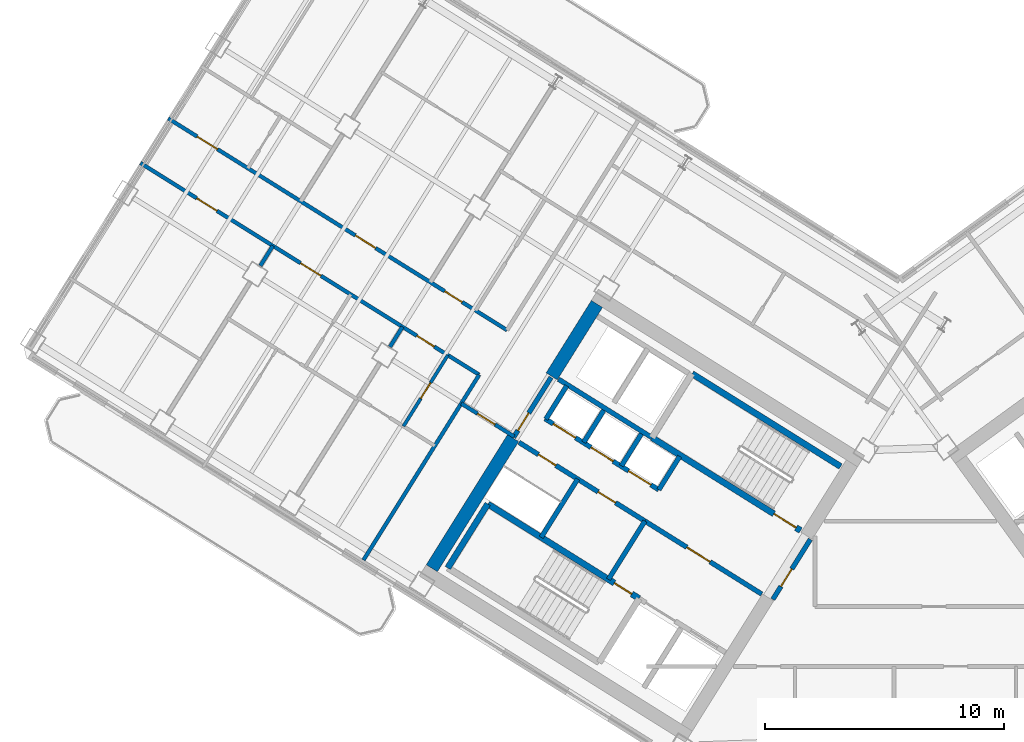
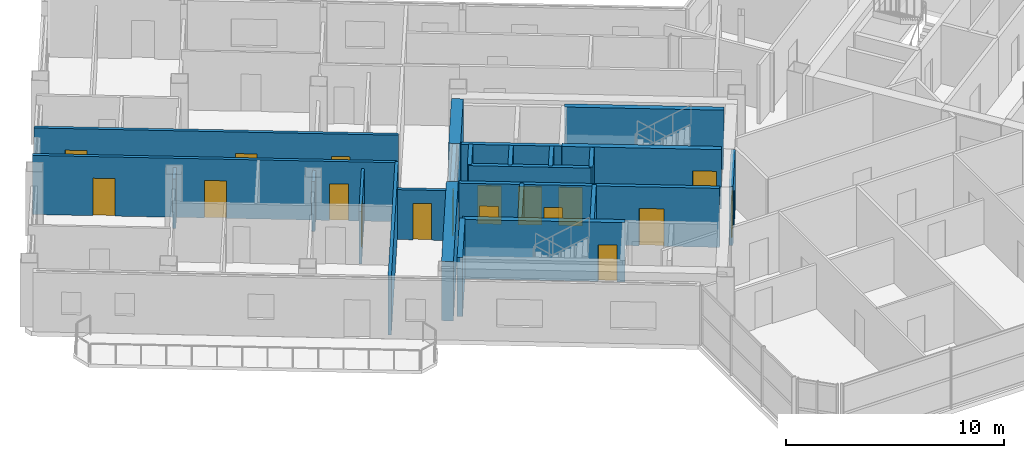
# One storey, part 12 of 21: 25 walls, 18 doors, 18 openings.
"""IFC4 building model written with IfcOpenShell, lengths in metres."""

from ifc_helpers import new_model, si_unit, direction, frame, frame_2d, origin, place, context, subcontext, project, spatial, rectangle, extrude, source, transform, mapped, material, layer, layer_set, type_object, element, fill, save


model = new_model("IFC4")

# Units and contexts
model_context = context("Model", 3, precision=1e-05, world=origin(), true_north=direction((0.0, 1.0)))
body_context = subcontext(model_context, "Body", "Model", "MODEL_VIEW")
ifc_project = project(units=[si_unit("LENGTHUNIT", "METRE"), si_unit("AREAUNIT", "SQUARE_METRE"), si_unit("VOLUMEUNIT", "CUBIC_METRE"), si_unit("PLANEANGLEUNIT", "RADIAN"), si_unit("MASSUNIT", "GRAM", prefix="KILO")], contexts=[model_context])

# Site, building, storey
site_placement = place(None, origin())
site = spatial("IfcSite", under=ifc_project, at=site_placement, CompositionType="ELEMENT")
building_placement = place(site_placement, origin())
building = spatial("IfcBuilding", under=site, at=building_placement, Name="Tlacorven Tower", CompositionType="ELEMENT")
storey_placement = place(building_placement, frame((0.0, 0.0, 191.39990234375)))
storey = spatial("IfcBuildingStorey", under=building, at=storey_placement, Name="L48", CompositionType="ELEMENT", Elevation=191.39990234375)

# Walls
ifc_material_1 = material(Name="Concrete C60/75", Category="concrete")
ifc_layer_1 = layer(ifc_material_1, 0.550048828125)
ifc_layer_set_1 = layer_set([ifc_layer_1], Name="Concrete C60/75")
wall_type_1 = type_object("IfcWallType", Name="WL-COR-550", PredefinedType="SHEAR", material=ifc_layer_set_1)
wall_1_placement = place(storey_placement, frame((29.517333984375, 30.59423828125, 0.0), z_axis=(0.0, 0.0, 1.0), x_axis=(-0.529906864564, -0.848055844204, 0.0)))
element("IfcWall", 1, at=wall_1_placement, inside=storey, type_object=wall_type_1, Name="L48 W core end wall E2.1", PredefinedType="SHEAR", context=body_context, shape_type="SweptSolid", body=[
    extrude(rectangle(XDim=3.5751953125, YDim=0.550048828125, at=frame_2d((1.78759765625, 0.0))), origin(), (0.0, 0.0, 1.0), 3.320068359375),
])
wall_2_placement = place(storey_placement, frame((26.006591796875, 24.975830078125, 0.0), z_axis=(0.0, 0.0, 1.0), x_axis=(-0.529923795287, -0.848045264823, 0.0)))
element("IfcWall", 2, at=wall_2_placement, inside=storey, type_object=wall_type_1, Name="L48 W core end wall E2.2", PredefinedType="SHEAR", context=body_context, shape_type="SweptSolid", body=[
    extrude(rectangle(XDim=6.425048828125, YDim=0.550048828125, at=frame_2d((3.21240234375, 0.0))), origin(), (0.0, 0.0, 1.0), 3.320068359375),
])

# Wall, opening, door
ifc_material_2 = material(Name="Gypsum plasterboard acoustic partition", Category="gypsum")
ifc_layer_2 = layer(ifc_material_2, 0.159912109375)
ifc_layer_set_2 = layer_set([ifc_layer_2], Name="Gypsum plasterboard acoustic partition")
wall_type_2 = type_object("IfcWallType", Name="WL-DEM-160", PredefinedType="PARTITIONING", material=ifc_layer_set_2)
wall_3_placement = place(storey_placement, frame((26.048828125, 25.043701171875, 0.0), z_axis=(0.0, 0.0, 1.0), x_axis=(-0.848050851465, 0.529914854792, 0.0)))
wall_3 = element("IfcWall", 3, at=wall_3_placement, inside=storey, type_object=wall_type_2, Name="L48 partition 44", PredefinedType="PARTITIONING", context=body_context, shape_type="SweptSolid", body=[
    extrude(rectangle(XDim=2.60986328125, YDim=0.159912109375, at=frame_2d((1.304931640625, 0.0))), origin(), (0.0, 0.0, 1.0), 2.795166015625),
])
opening_1_placement = place(wall_3_placement, frame((0.949951171875, 0.0, 0.0)))
opening_1 = element("IfcOpeningElement", 4, at=opening_1_placement, cuts=wall_3, Name="Opening D19", PredefinedType="OPENING", context=body_context, shape_type="SweptSolid", body=[
    extrude(rectangle(XDim=0.860107421875, YDim=2.050048828125, at=frame_2d((0.43017578125, 1.02490234375))), frame((0.0, 0.08984375, 0.0), z_axis=(0.0, -1.0, 0.0), x_axis=(1.0, 0.0, 0.0)), (0.0, 0.0, 1.0), 0.179931640625),
])
ifc_material_3 = material(Name="Fire-rated steel door assembly", Category="steel")
door_type_1 = type_object("IfcDoorType", Name="DR-RSR-FD60-0860", OperationType="NOTDEFINED", PredefinedType="DOOR", material=ifc_material_3)
shared_shape_1 = source(origin(), body_context, "Body", "SweptSolid", [
    extrude(rectangle(XDim=0.860107421875, YDim=2.050048828125, at=frame_2d((0.43017578125, 1.02490234375))), frame((0.0, 0.02490234375, 0.0), z_axis=(0.0, -1.0, 0.0), x_axis=(1.0, 0.0, 0.0)), (0.0, 0.0, 1.0), 0.050048828125),
])
door_1_placement = place(opening_1_placement, origin())
door_1 = element("IfcDoor", 5, at=door_1_placement, inside=storey, type_object=door_type_1, Name="L48 door 020", OperationType="SINGLE_SWING_RIGHT", OverallHeight=2.050048828125, OverallWidth=0.860107421875, PredefinedType="DOOR", context=body_context, shape_type="MappedRepresentation", body=[
    mapped(shared_shape_1, transform((0.0, 0.0, 0.0), scale=1.0)),
])
fill(opening_1, door_1)

# Wall
wall_4_placement = place(storey_placement, frame((24.587890625, 27.630859375, 0.0), z_axis=(0.0, 0.0, 1.0), x_axis=(-0.529914992377, -0.848050765494, 0.0)))
element("IfcWall", 6, at=wall_4_placement, inside=storey, type_object=wall_type_2, Name="L48 partition 46", PredefinedType="PARTITIONING", context=body_context, shape_type="SweptSolid", body=[
    extrude(rectangle(XDim=9.14990234375, YDim=0.159912109375, at=frame_2d((4.574951171875, 0.0))), origin(), (0.0, 0.0, 1.0), 3.31005859375),
])

# Wall, openings, doors
wall_5_placement = place(storey_placement, frame((25.75390625, 29.49658203125, 0.0), z_axis=(0.0, 0.0, 1.0), x_axis=(-0.848045850158, 0.529922858565, 0.0)))
wall_5 = element("IfcWall", 7, at=wall_5_placement, inside=storey, type_object=wall_type_2, Name="L48 Wing W Corridor South Wall", PredefinedType="PARTITIONING", context=body_context, shape_type="SweptSolid", body=[
    extrude(rectangle(XDim=16.730224609375, YDim=0.159912109375, at=frame_2d((8.365234375, 0.0))), origin(), (0.0, 0.0, 1.0), 3.31005859375),
])
opening_2_placement = place(wall_5_placement, frame((2.219970703125, 0.0, 0.0)))
opening_2 = element("IfcOpeningElement", 8, at=opening_2_placement, cuts=wall_5, Name="Opening D19", PredefinedType="OPENING", context=body_context, shape_type="SweptSolid", body=[
    extrude(rectangle(XDim=0.860107421875, YDim=2.050048828125, at=frame_2d((0.43017578125, 1.02490234375))), frame((0.0, 0.08984375, 0.0), z_axis=(0.0, -1.0, 0.0), x_axis=(1.0, 0.0, 0.0)), (0.0, 0.0, 1.0), 0.179931640625),
])
opening_3_placement = place(wall_5_placement, frame((6.489990234375, 0.0, 0.0)))
opening_3 = element("IfcOpeningElement", 9, at=opening_3_placement, cuts=wall_5, Name="Opening D11", PredefinedType="OPENING", context=body_context, shape_type="SweptSolid", body=[
    extrude(rectangle(XDim=1.0, YDim=2.10009765625, at=frame_2d((0.5, 1.050048828125))), frame((0.0, 0.08984375, 0.0), z_axis=(0.0, -1.0, 0.0), x_axis=(1.0, 0.0, 0.0)), (0.0, 0.0, 1.0), 0.179931640625),
])
opening_4_placement = place(wall_5_placement, frame((14.303955078125, 0.0, 0.0)))
opening_4 = element("IfcOpeningElement", 10, at=opening_4_placement, cuts=wall_5, Name="Opening D11", PredefinedType="OPENING", context=body_context, shape_type="SweptSolid", body=[
    extrude(rectangle(XDim=1.0, YDim=2.10009765625, at=frame_2d((0.5, 1.050048828125))), frame((0.0, 0.08984375, 0.0), z_axis=(0.0, -1.0, 0.0), x_axis=(1.0, 0.0, 0.0)), (0.0, 0.0, 1.0), 0.179931640625),
])
door_2_placement = place(opening_2_placement, origin())
door_2 = element("IfcDoor", 11, at=door_2_placement, inside=storey, type_object=door_type_1, Name="L48 door 031", OperationType="SINGLE_SWING_RIGHT", OverallHeight=2.050048828125, OverallWidth=0.860107421875, PredefinedType="DOOR", context=body_context, shape_type="MappedRepresentation", body=[
    mapped(shared_shape_1, transform((0.0, 0.0, 0.0), scale=1.0)),
])
fill(opening_2, door_2)
door_type_2 = type_object("IfcDoorType", Name="DR-FLT-FD60-1000", OperationType="NOTDEFINED", PredefinedType="DOOR", material=ifc_material_3)
shared_shape_2 = source(origin(), body_context, "Body", "SweptSolid", [
    extrude(rectangle(XDim=1.0, YDim=2.10009765625, at=frame_2d((0.5, 1.050048828125))), frame((0.0, 0.02490234375, 0.0), z_axis=(0.0, -1.0, 0.0), x_axis=(1.0, 0.0, 0.0)), (0.0, 0.0, 1.0), 0.050048828125),
])
door_3_placement = place(opening_3_placement, origin())
door_3 = element("IfcDoor", 12, at=door_3_placement, inside=storey, type_object=door_type_2, Name="L48 door 034", OperationType="SINGLE_SWING_LEFT", OverallHeight=2.10009765625, OverallWidth=1.0, PredefinedType="DOOR", context=body_context, shape_type="MappedRepresentation", body=[
    mapped(shared_shape_2, transform((0.0, 0.0, 0.0), scale=1.0)),
])
fill(opening_3, door_3)
door_4_placement = place(opening_4_placement, origin())
door_4 = element("IfcDoor", 13, at=door_4_placement, inside=storey, type_object=door_type_2, Name="L48 door 037", OperationType="SINGLE_SWING_RIGHT", OverallHeight=2.10009765625, OverallWidth=1.0, PredefinedType="DOOR", context=body_context, shape_type="MappedRepresentation", body=[
    mapped(shared_shape_2, transform((0.0, 0.0, 0.0), scale=1.0)),
])
fill(opening_4, door_4)

wall_6_placement = place(storey_placement, frame((24.587890625, 27.630859375, 0.0), z_axis=(0.0, 0.0, 1.0), x_axis=(-0.848041752158, 0.529929416617, 0.0)))
wall_6 = element("IfcWall", 14, at=wall_6_placement, inside=storey, type_object=wall_type_2, Name="L48 Wing W Corridor North Wall", PredefinedType="PARTITIONING", context=body_context, shape_type="SweptSolid", body=[
    extrude(rectangle(XDim=16.72998046875, YDim=0.159912109375, at=frame_2d((8.364990234375, 0.0))), origin(), (0.0, 0.0, 1.0), 3.31005859375),
])
opening_5_placement = place(wall_6_placement, frame((2.219970703125, 0.0, 0.0)))
opening_5 = element("IfcOpeningElement", 15, at=opening_5_placement, cuts=wall_6, Name="Opening D19", PredefinedType="OPENING", context=body_context, shape_type="SweptSolid", body=[
    extrude(rectangle(XDim=0.860107421875, YDim=2.050048828125, at=frame_2d((0.43017578125, 1.02490234375))), frame((0.0, 0.08984375, 0.0), z_axis=(0.0, -1.0, 0.0), x_axis=(1.0, 0.0, 0.0)), (0.0, 0.0, 1.0), 0.179931640625),
])
opening_6_placement = place(wall_6_placement, frame((7.820068359375, 0.0, 0.0)))
opening_6 = element("IfcOpeningElement", 16, at=opening_6_placement, cuts=wall_6, Name="Opening D11", PredefinedType="OPENING", context=body_context, shape_type="SweptSolid", body=[
    extrude(rectangle(XDim=1.0, YDim=2.10009765625, at=frame_2d((0.5, 1.050048828125))), frame((0.0, 0.08984375, 0.0), z_axis=(0.0, -1.0, 0.0), x_axis=(1.0, 0.0, 0.0)), (0.0, 0.0, 1.0), 0.179931640625),
])
opening_7_placement = place(wall_6_placement, frame((12.949951171875, 0.0, 0.0)))
opening_7 = element("IfcOpeningElement", 17, at=opening_7_placement, cuts=wall_6, Name="Opening D11", PredefinedType="OPENING", context=body_context, shape_type="SweptSolid", body=[
    extrude(rectangle(XDim=1.0, YDim=2.10009765625, at=frame_2d((0.5, 1.050048828125))), frame((0.0, 0.08984375, 0.0), z_axis=(0.0, -1.0, 0.0), x_axis=(1.0, 0.0, 0.0)), (0.0, 0.0, 1.0), 0.179931640625),
])
door_5_placement = place(opening_5_placement, origin())
door_5 = element("IfcDoor", 18, at=door_5_placement, inside=storey, type_object=door_type_1, Name="L48 door 022", OperationType="SINGLE_SWING_LEFT", OverallHeight=2.050048828125, OverallWidth=0.860107421875, PredefinedType="DOOR", context=body_context, shape_type="MappedRepresentation", body=[
    mapped(shared_shape_1, transform((0.0, 0.0, 0.0), scale=1.0)),
])
fill(opening_5, door_5)
door_6_placement = place(opening_6_placement, origin())
door_6 = element("IfcDoor", 19, at=door_6_placement, inside=storey, type_object=door_type_2, Name="L48 door 026", OperationType="SINGLE_SWING_LEFT", OverallHeight=2.10009765625, OverallWidth=1.0, PredefinedType="DOOR", context=body_context, shape_type="MappedRepresentation", body=[
    mapped(shared_shape_2, transform((0.0, 0.0, 0.0), scale=1.0)),
])
fill(opening_6, door_6)
door_7_placement = place(opening_7_placement, origin())
door_7 = element("IfcDoor", 20, at=door_7_placement, inside=storey, type_object=door_type_2, Name="L48 door 029", OperationType="SINGLE_SWING_RIGHT", OverallHeight=2.10009765625, OverallWidth=1.0, PredefinedType="DOOR", context=body_context, shape_type="MappedRepresentation", body=[
    mapped(shared_shape_2, transform((0.0, 0.0, 0.0), scale=1.0)),
])
fill(opening_7, door_7)

# Walls
for number, where, z_axis, x_axis, name in (
    (21, (21.3740234375, 29.639404296875, 0.0), (0.0, 0.0, 1.0), (-0.529998940003, -0.847998304005, 0.0), "L48 WN Demising Wall 1"),
    (22, (15.9462890625, 33.03076171875, 0.0), (0.0, 0.0, 1.0), (-0.529821225456, -0.848109349704, 0.0), "L48 WN Demising Wall 2"),
):
    element("IfcWall", number, at=place(storey_placement, frame(where, z_axis=z_axis, x_axis=x_axis)), inside=storey, type_object=wall_type_2, Name=name, PredefinedType="PARTITIONING", context=body_context, shape_type="SweptSolid", body=[
        extrude(rectangle(XDim=0.988037109375, YDim=0.159912109375, at=frame_2d((0.494140625, 0.0))), origin(), (0.0, 0.0, 1.0), 2.795166015625),
    ])

# Wall, opening, door
ifc_material_4 = material(Name="Moisture-resistant gypsum plumbing wall", Category="gypsum")
ifc_layer_3 = layer(ifc_material_4, 0.139892578125)
ifc_layer_set_3 = layer_set([ifc_layer_3], Name="Moisture-resistant gypsum plumbing wall")
wall_type_3 = type_object("IfcWallType", Name="WL-PLM-140", PredefinedType="PLUMBINGWALL", material=ifc_layer_set_3)
wall_7_placement = place(storey_placement, frame((23.2734375, 28.452392578125, 0.0), z_axis=(0.0, 0.0, 1.0), x_axis=(-0.529867639402, -0.848080352747, 0.0)))
wall_7 = element("IfcWall", 23, at=wall_7_placement, inside=storey, type_object=wall_type_3, Name="L48 partition 52", PredefinedType="PLUMBINGWALL", context=body_context, shape_type="SweptSolid", body=[
    extrude(rectangle(XDim=3.510009765625, YDim=0.139892578125, at=frame_2d((1.7548828125, 0.0))), origin(), (0.0, 0.0, 1.0), 2.93505859375),
])
opening_8_placement = place(wall_7_placement, frame((1.364990234375, 0.0, 0.0)))
opening_8 = element("IfcOpeningElement", 24, at=opening_8_placement, cuts=wall_7, Name="Opening D22", PredefinedType="OPENING", context=body_context, shape_type="SweptSolid", body=[
    extrude(rectangle(XDim=0.780029296875, YDim=2.050048828125, at=frame_2d((0.39013671875, 1.02490234375))), frame((0.0, 0.080078125, 0.0), z_axis=(0.0, -1.0, 0.0), x_axis=(1.0, 0.0, 0.0)), (0.0, 0.0, 1.0), 0.159912109375),
])
ifc_material_5 = material(Name="Powder-coated aluminium and timber door", Category="wood")
door_type_3 = type_object("IfcDoorType", Name="DR-INT-WET-0780", OperationType="NOTDEFINED", PredefinedType="DOOR", material=ifc_material_5)
shared_shape_3 = source(origin(), body_context, "Body", "SweptSolid", [
    extrude(rectangle(XDim=0.780029296875, YDim=2.050048828125, at=frame_2d((0.39013671875, 1.02490234375))), frame((0.0, 0.02490234375, 0.0), z_axis=(0.0, -1.0, 0.0), x_axis=(1.0, 0.0, 0.0)), (0.0, 0.0, 1.0), 0.050048828125),
])
door_8_placement = place(opening_8_placement, origin())
door_8 = element("IfcDoor", 25, at=door_8_placement, inside=storey, type_object=door_type_3, Name="L48 door 024", OperationType="SINGLE_SWING_LEFT", OverallHeight=2.050048828125, OverallWidth=0.780029296875, PredefinedType="DOOR", context=body_context, shape_type="MappedRepresentation", body=[
    mapped(shared_shape_3, transform((0.0, 0.0, 0.0), scale=1.0)),
])
fill(opening_8, door_8)

ifc_material_6 = material(Name="Concrete C40/50", Category="concrete")
ifc_layer_4 = layer(ifc_material_6, 0.199951171875)
ifc_layer_set_4 = layer_set([ifc_layer_4], Name="Concrete C40/50")
wall_type_4 = type_object("IfcWallType", Name="WL-SHF-200", PredefinedType="STANDARD", material=ifc_layer_set_4)
wall_8_placement = place(storey_placement, frame((36.416748046875, 18.447265625, 0.0), z_axis=(0.0, 0.0, 1.0), x_axis=(-0.848064879198, 0.529892404805, 0.0)))
wall_8 = element("IfcWall", 26, at=wall_8_placement, inside=storey, type_object=wall_type_4, Name="L48 Core W Smoke Lobby Wall", PredefinedType="STANDARD", context=body_context, shape_type="SweptSolid", body=[
    extrude(rectangle(XDim=5.76806640625, YDim=0.199951171875, at=frame_2d((2.884033203125, 0.0))), origin(), (0.0, 0.0, 1.0), 3.31005859375),
])
opening_9_placement = place(wall_8_placement, frame((2.548095703125, 0.0, 0.0)))
opening_9 = element("IfcOpeningElement", 27, at=opening_9_placement, cuts=wall_8, Name="Opening D09", PredefinedType="OPENING", context=body_context, shape_type="SweptSolid", body=[
    extrude(rectangle(XDim=1.14990234375, YDim=2.10009765625, at=frame_2d((0.574951171875, 1.050048828125))), frame((0.0, 0.10986328125, 0.0), z_axis=(0.0, -1.0, 0.0), x_axis=(1.0, 0.0, 0.0)), (0.0, 0.0, 1.0), 0.219970703125),
])
door_type_4 = type_object("IfcDoorType", Name="DR-FFL-FD60-1150", OperationType="NOTDEFINED", PredefinedType="DOOR", material=ifc_material_3)
shared_shape_4 = source(origin(), body_context, "Body", "SweptSolid", [
    extrude(rectangle(XDim=1.14990234375, YDim=2.10009765625, at=frame_2d((0.574951171875, 1.050048828125))), frame((0.0, 0.02490234375, 0.0), z_axis=(0.0, -1.0, 0.0), x_axis=(1.0, 0.0, 0.0)), (0.0, 0.0, 1.0), 0.050048828125),
])
door_9_placement = place(opening_9_placement, origin())
door_9 = element("IfcDoor", 28, at=door_9_placement, inside=storey, type_object=door_type_4, Name="L48 Firefighting Lobby W Fire Door", OperationType="SINGLE_SWING_RIGHT", OverallHeight=2.10009765625, OverallWidth=1.14990234375, PredefinedType="DOOR", context=body_context, shape_type="MappedRepresentation", body=[
    mapped(shared_shape_4, transform((0.0, 0.0, 0.0), scale=1.0)),
])
fill(opening_9, door_9)

# Wall
wall_9_placement = place(storey_placement, frame((31.82177734375, 24.99755859375, 0.0), z_axis=(0.0, 0.0, 1.0), x_axis=(-0.848036912365, 0.52993716162, 0.0)))
element("IfcWall", 29, at=wall_9_placement, inside=storey, type_object=wall_type_4, Name="L48 Core W South Lift Shaft Wall", PredefinedType="STANDARD", context=body_context, shape_type="SweptSolid", body=[
    extrude(rectangle(XDim=4.617919921875, YDim=0.199951171875, at=frame_2d((2.30908203125, 0.0))), origin(), (0.0, 0.0, 1.0), 3.31005859375),
])

# Wall, openings, doors
wall_10_placement = place(storey_placement, frame((32.108154296875, 22.81396484375, 0.0), z_axis=(0.0, 0.0, 1.0), x_axis=(-0.848042229521, 0.529928652696, 0.0)))
wall_10 = element("IfcWall", 30, at=wall_10_placement, inside=storey, type_object=wall_type_4, Name="L48 partition 11", PredefinedType="STANDARD", context=body_context, shape_type="SweptSolid", body=[
    extrude(rectangle(XDim=5.6201171875, YDim=0.199951171875, at=frame_2d((2.81005859375, 0.0))), origin(), (0.0, 0.0, 1.0), 3.31005859375),
])
opening_10_placement = place(wall_10_placement, frame((0.389892578125, 0.0, 0.0)))
opening_10 = element("IfcOpeningElement", 31, at=opening_10_placement, cuts=wall_10, Name="Opening LD01", PredefinedType="OPENING", context=body_context, shape_type="SweptSolid", body=[
    extrude(rectangle(XDim=1.10009765625, YDim=2.14990234375, at=frame_2d((0.550048828125, 1.074951171875))), frame((0.0, 0.10986328125, 0.0), z_axis=(0.0, -1.0, 0.0), x_axis=(1.0, 0.0, 0.0)), (0.0, 0.0, 1.0), 0.219970703125),
])
opening_11_placement = place(wall_10_placement, frame((2.25, 0.0, 0.0)))
opening_11 = element("IfcOpeningElement", 32, at=opening_11_placement, cuts=wall_10, Name="Opening LD01", PredefinedType="OPENING", context=body_context, shape_type="SweptSolid", body=[
    extrude(rectangle(XDim=1.10009765625, YDim=2.14990234375, at=frame_2d((0.550048828125, 1.074951171875))), frame((0.0, 0.10986328125, 0.0), z_axis=(0.0, -1.0, 0.0), x_axis=(1.0, 0.0, 0.0)), (0.0, 0.0, 1.0), 0.219970703125),
])
opening_12_placement = place(wall_10_placement, frame((4.110107421875, 0.0, 0.0)))
opening_12 = element("IfcOpeningElement", 33, at=opening_12_placement, cuts=wall_10, Name="Opening LD01", PredefinedType="OPENING", context=body_context, shape_type="SweptSolid", body=[
    extrude(rectangle(XDim=1.10009765625, YDim=2.14990234375, at=frame_2d((0.550048828125, 1.074951171875))), frame((0.0, 0.10986328125, 0.0), z_axis=(0.0, -1.0, 0.0), x_axis=(1.0, 0.0, 0.0)), (0.0, 0.0, 1.0), 0.219970703125),
])
door_type_5 = type_object("IfcDoorType", Name="DR-LFT-SLID-1100", OperationType="DOUBLE_DOOR_SLIDING", PredefinedType="DOOR", material=ifc_material_3)
shared_shape_5 = source(origin(), body_context, "Body", "SweptSolid", [
    extrude(rectangle(XDim=1.10009765625, YDim=2.14990234375, at=frame_2d((0.550048828125, 1.074951171875))), frame((0.0, 0.02490234375, 0.0), z_axis=(0.0, -1.0, 0.0), x_axis=(1.0, 0.0, 0.0)), (0.0, 0.0, 1.0), 0.050048828125),
])
door_10_placement = place(opening_10_placement, origin())
door_10 = element("IfcDoor", 34, at=door_10_placement, inside=storey, type_object=door_type_5, Name="L48 Lift PL-M1 Sliding Landing Door", OperationType="DOUBLE_DOOR_SLIDING", OverallHeight=2.14990234375, OverallWidth=1.10009765625, PredefinedType="DOOR", context=body_context, shape_type="MappedRepresentation", body=[
    mapped(shared_shape_5, transform((0.0, 0.0, 0.0), scale=1.0)),
])
fill(opening_10, door_10)
door_11_placement = place(opening_11_placement, origin())
door_11 = element("IfcDoor", 35, at=door_11_placement, inside=storey, type_object=door_type_5, Name="L48 Lift PL-M2 Sliding Landing Door", OperationType="DOUBLE_DOOR_SLIDING", OverallHeight=2.14990234375, OverallWidth=1.10009765625, PredefinedType="DOOR", context=body_context, shape_type="MappedRepresentation", body=[
    mapped(shared_shape_5, transform((0.0, 0.0, 0.0), scale=1.0)),
])
fill(opening_11, door_11)
door_12_placement = place(opening_12_placement, origin())
door_12 = element("IfcDoor", 36, at=door_12_placement, inside=storey, type_object=door_type_5, Name="L48 Lift PL-M3 Sliding Landing Door", OperationType="DOUBLE_DOOR_SLIDING", OverallHeight=2.14990234375, OverallWidth=1.10009765625, PredefinedType="DOOR", context=body_context, shape_type="MappedRepresentation", body=[
    mapped(shared_shape_5, transform((0.0, 0.0, 0.0), scale=1.0)),
])
fill(opening_12, door_12)

# Walls
wall_11_placement = place(storey_placement, frame((32.982421875, 24.21337890625, 0.0), z_axis=(0.0, 0.0, 1.0), x_axis=(-0.529839334948, -0.84809803628, 0.0)))
element("IfcWall", 37, at=wall_11_placement, inside=storey, type_object=wall_type_4, Name="L48 partition 12", PredefinedType="STANDARD", context=body_context, shape_type="SweptSolid", body=[
    extrude(rectangle(XDim=1.650146484375, YDim=0.199951171875, at=frame_2d((0.8251953125, 0.0))), origin(), (0.0, 0.0, 1.0), 3.31005859375),
])
wall_12_placement = place(storey_placement, frame((28.250244140625, 27.170166015625, 0.0), z_axis=(0.0, 0.0, 1.0), x_axis=(-0.529905827651, -0.848056492117, 0.0)))
element("IfcWall", 38, at=wall_12_placement, inside=storey, type_object=wall_type_4, Name="L48 partition 13", PredefinedType="STANDARD", context=body_context, shape_type="SweptSolid", body=[
    extrude(rectangle(XDim=1.64990234375, YDim=0.199951171875, at=frame_2d((0.824951171875, 0.0))), origin(), (0.0, 0.0, 1.0), 3.31005859375),
])
for number, where, z_axis, x_axis, name in (
    (39, (31.378662109375, 25.156494140625, 0.0), (0.0, 0.0, 1.0), (-0.529998940003, -0.847998304005, 0.0), "L48 partition 18"),
    (40, (29.80126953125, 26.14208984375, 0.0), (0.0, 0.0, 1.0), (-0.529998940003, -0.847998304005, 0.0), "L48 partition 19"),
):
    element("IfcWall", number, at=place(storey_placement, frame(where, z_axis=z_axis, x_axis=x_axis)), inside=storey, type_object=wall_type_4, Name=name, PredefinedType="STANDARD", context=body_context, shape_type="SweptSolid", body=[
        extrude(rectangle(XDim=1.580078125, YDim=0.199951171875, at=frame_2d((0.7900390625, 0.0))), origin(), (0.0, 0.0, 1.0), 3.31005859375),
    ])
for number, where, z_axis, x_axis, name in (
    (41, (31.525146484375, 21.503662109375, 0.0), (0.0, 0.0, 1.0), (-0.529907497854, -0.848055448493, 0.0), "L48 partition 20"),
    (42, (28.709716796875, 23.26318359375, 0.0), (0.0, 0.0, 1.0), (-0.529907497854, -0.848055448493, 0.0), "L48 partition 21"),
):
    element("IfcWall", number, at=place(storey_placement, frame(where, z_axis=z_axis, x_axis=x_axis)), inside=storey, type_object=wall_type_4, Name=name, PredefinedType="STANDARD", context=body_context, shape_type="SweptSolid", body=[
        extrude(rectangle(XDim=2.8798828125, YDim=0.199951171875, at=frame_2d((1.43994140625, 0.0))), origin(), (0.0, 0.0, 1.0), 3.31005859375),
    ])

# Wall, openings, doors
wall_13_placement = place(storey_placement, frame((31.525146484375, 21.503662109375, 0.0), z_axis=(0.0, 0.0, 1.0), x_axis=(-0.848040211232, 0.529931882541, 0.0)))
wall_13 = element("IfcWall", 43, at=wall_13_placement, inside=storey, type_object=wall_type_4, Name="L48 Core W North Service Wall", PredefinedType="STANDARD", context=body_context, shape_type="SweptSolid", body=[
    extrude(rectangle(XDim=6.218017578125, YDim=0.199951171875, at=frame_2d((3.10888671875, 0.0))), origin(), (0.0, 0.0, 1.0), 3.31005859375),
])
opening_13_placement = place(wall_13_placement, frame((4.39990234375, 0.0, 0.0)))
opening_13 = element("IfcOpeningElement", 44, at=opening_13_placement, cuts=wall_13, Name="Opening D19", PredefinedType="OPENING", context=body_context, shape_type="SweptSolid", body=[
    extrude(rectangle(XDim=0.860107421875, YDim=2.050048828125, at=frame_2d((0.43017578125, 1.02490234375))), frame((0.0, 0.10986328125, 0.0), z_axis=(0.0, -1.0, 0.0), x_axis=(1.0, 0.0, 0.0)), (0.0, 0.0, 1.0), 0.219970703125),
])
opening_14_placement = place(wall_13_placement, frame((1.449951171875, 0.0, 0.0)))
opening_14 = element("IfcOpeningElement", 45, at=opening_14_placement, cuts=wall_13, Name="Opening D19", PredefinedType="OPENING", context=body_context, shape_type="SweptSolid", body=[
    extrude(rectangle(XDim=0.860107421875, YDim=2.050048828125, at=frame_2d((0.43017578125, 1.02490234375))), frame((0.0, 0.10986328125, 0.0), z_axis=(0.0, -1.0, 0.0), x_axis=(1.0, 0.0, 0.0)), (0.0, 0.0, 1.0), 0.219970703125),
])
door_13_placement = place(opening_13_placement, frame((0.860107421875, 0.0, 0.0), z_axis=(0.0, 0.0, 1.0), x_axis=(-1.0, 0.0, 0.0)))
door_13 = element("IfcDoor", 46, at=door_13_placement, inside=storey, type_object=door_type_1, Name="L48 Electrical Riser Access Door W", OperationType="SINGLE_SWING_LEFT", OverallHeight=2.050048828125, OverallWidth=0.860107421875, PredefinedType="DOOR", context=body_context, shape_type="MappedRepresentation", body=[
    mapped(shared_shape_1, transform((0.0, 0.0, 0.0), scale=1.0)),
])
fill(opening_13, door_13)
door_14_placement = place(opening_14_placement, frame((0.860107421875, 0.0, 0.0), z_axis=(0.0, 0.0, 1.0), x_axis=(-1.0, 0.0, 0.0)))
door_14 = element("IfcDoor", 47, at=door_14_placement, inside=storey, type_object=door_type_1, Name="L48 Housekeeping Linen Access Door W", OperationType="SINGLE_SWING_RIGHT", OverallHeight=2.050048828125, OverallWidth=0.860107421875, PredefinedType="DOOR", context=body_context, shape_type="MappedRepresentation", body=[
    mapped(shared_shape_1, transform((0.0, 0.0, 0.0), scale=1.0)),
])
fill(opening_14, door_14)

# Wall, opening, door
wall_14_placement = place(storey_placement, frame((27.59619140625, 27.52001953125, 0.0), z_axis=(0.0, 0.0, 1.0), x_axis=(-0.529865479138, -0.848081702443, 0.0)))
wall_14 = element("IfcWall", 48, at=wall_14_placement, inside=storey, type_object=wall_type_4, Name="L48 partition 42", PredefinedType="STANDARD", context=body_context, shape_type="SweptSolid", body=[
    extrude(rectangle(XDim=2.9599609375, YDim=0.199951171875, at=frame_2d((1.47998046875, 0.0))), origin(), (0.0, 0.0, 1.0), 3.31005859375),
])
opening_15_placement = place(wall_14_placement, frame((1.760009765625, 0.0, 0.0)))
opening_15 = element("IfcOpeningElement", 49, at=opening_15_placement, cuts=wall_14, Name="Opening D19", PredefinedType="OPENING", context=body_context, shape_type="SweptSolid", body=[
    extrude(rectangle(XDim=0.860107421875, YDim=2.050048828125, at=frame_2d((0.43017578125, 1.02490234375))), frame((0.0, 0.10986328125, 0.0), z_axis=(0.0, -1.0, 0.0), x_axis=(1.0, 0.0, 0.0)), (0.0, 0.0, 1.0), 0.219970703125),
])
door_15_placement = place(opening_15_placement, origin())
door_15 = element("IfcDoor", 50, at=door_15_placement, inside=storey, type_object=door_type_1, Name="L48 door 021", OperationType="SINGLE_SWING_LEFT", OverallHeight=2.050048828125, OverallWidth=0.860107421875, PredefinedType="DOOR", context=body_context, shape_type="MappedRepresentation", body=[
    mapped(shared_shape_1, transform((0.0, 0.0, 0.0), scale=1.0)),
])
fill(opening_15, door_15)

wall_15_placement = place(storey_placement, frame((38.451416015625, 20.737060546875, 0.0), z_axis=(0.0, 0.0, 1.0), x_axis=(-0.529924799939, -0.848044637038, 0.0)))
wall_15 = element("IfcWall", 51, at=wall_15_placement, inside=storey, type_object=wall_type_4, Name="L48 partition 70", PredefinedType="STANDARD", context=body_context, shape_type="SweptSolid", body=[
    extrude(rectangle(XDim=2.9599609375, YDim=0.199951171875, at=frame_2d((1.47998046875, 0.0))), origin(), (0.0, 0.0, 1.0), 3.31005859375),
])
opening_16_placement = place(wall_15_placement, frame((1.4599609375, 0.0, 0.0)))
opening_16 = element("IfcOpeningElement", 52, at=opening_16_placement, cuts=wall_15, Name="Opening D19", PredefinedType="OPENING", context=body_context, shape_type="SweptSolid", body=[
    extrude(rectangle(XDim=0.860107421875, YDim=2.050048828125, at=frame_2d((0.43017578125, 1.02490234375))), frame((0.0, 0.10986328125, 0.0), z_axis=(0.0, -1.0, 0.0), x_axis=(1.0, 0.0, 0.0)), (0.0, 0.0, 1.0), 0.219970703125),
])
door_16_placement = place(opening_16_placement, frame((0.860107421875, 0.0, 0.0), z_axis=(0.0, 0.0, 1.0), x_axis=(-1.0, 0.0, 0.0)))
door_16 = element("IfcDoor", 53, at=door_16_placement, inside=storey, type_object=door_type_1, Name="L48 door 044", OperationType="SINGLE_SWING_LEFT", OverallHeight=2.050048828125, OverallWidth=0.860107421875, PredefinedType="DOOR", context=body_context, shape_type="MappedRepresentation", body=[
    mapped(shared_shape_1, transform((0.0, 0.0, 0.0), scale=1.0)),
])
fill(opening_16, door_16)

ifc_material_7 = material(Name="Concrete C50/60", Category="concrete")
ifc_layer_5 = layer(ifc_material_7, 0.260009765625)
ifc_layer_set_5 = layer_set([ifc_layer_5], Name="Concrete C50/60")
wall_type_5 = type_object("IfcWallType", Name="WL-STW-260", PredefinedType="SHEAR", material=ifc_layer_set_5)
wall_16_placement = place(storey_placement, frame((31.279541015625, 18.26123046875, 0.0), z_axis=(0.0, 0.0, 1.0), x_axis=(-0.848051618787, 0.529913626805, 0.0)))
wall_16 = element("IfcWall", 54, at=wall_16_placement, inside=storey, type_object=wall_type_5, Name="L48 Stair W1 Lobby Shear Wall", PredefinedType="SHEAR", context=body_context, shape_type="SweptSolid", body=[
    extrude(rectangle(XDim=7.4599609375, YDim=0.260009765625, at=frame_2d((3.72998046875, 0.0))), origin(), (0.0, 0.0, 1.0), 3.320068359375),
])
opening_17_placement = place(wall_16_placement, frame((0.360107421875, 0.0, 0.0)))
opening_17 = element("IfcOpeningElement", 55, at=opening_17_placement, cuts=wall_16, Name="Opening D19", PredefinedType="OPENING", context=body_context, shape_type="SweptSolid", body=[
    extrude(rectangle(XDim=0.860107421875, YDim=2.050048828125, at=frame_2d((0.43017578125, 1.02490234375))), frame((0.0, 0.14013671875, 0.0), z_axis=(0.0, -1.0, 0.0), x_axis=(1.0, 0.0, 0.0)), (0.0, 0.0, 1.0), 0.280029296875),
])
door_17_placement = place(opening_17_placement, frame((0.860107421875, 0.0, 0.0), z_axis=(0.0, 0.0, 1.0), x_axis=(-1.0, 0.0, 0.0)))
door_17 = element("IfcDoor", 56, at=door_17_placement, inside=storey, type_object=door_type_1, Name="L48 Exit Stair W1 Fire Door", OperationType="SINGLE_SWING_LEFT", OverallHeight=2.050048828125, OverallWidth=0.860107421875, PredefinedType="DOOR", context=body_context, shape_type="MappedRepresentation", body=[
    mapped(shared_shape_1, transform((0.0, 0.0, 0.0), scale=1.0)),
])
fill(opening_17, door_17)

# Walls
wall_17_placement = place(storey_placement, frame((24.944580078125, 22.2197265625, 0.0), z_axis=(0.0, 0.0, 1.0), x_axis=(-0.529908658664, -0.84805472316, 0.0)))
element("IfcWall", 57, at=wall_17_placement, inside=storey, type_object=wall_type_5, Name="L48 Stair W1 East Shear Wall", PredefinedType="SHEAR", context=body_context, shape_type="SweptSolid", body=[
    extrude(rectangle(XDim=3.16015625, YDim=0.260009765625, at=frame_2d((1.580078125, 0.0))), origin(), (0.0, 0.0, 1.0), 3.320068359375),
])
wall_18_placement = place(storey_placement, frame((39.720947265625, 23.787841796875, 0.0), z_axis=(0.0, 0.0, 1.0), x_axis=(-0.848054434086, 0.529909121291, 0.0)))
element("IfcWall", 58, at=wall_18_placement, inside=storey, type_object=wall_type_5, Name="L48 Stair W2 Far Shear Wall", PredefinedType="SHEAR", context=body_context, shape_type="SweptSolid", body=[
    extrude(rectangle(XDim=7.330078125, YDim=0.260009765625, at=frame_2d((3.6650390625, 0.0))), origin(), (0.0, 0.0, 1.0), 3.320068359375),
])

# Wall, opening, door
wall_19_placement = place(storey_placement, frame((38.04638671875, 21.10791015625, 0.0), z_axis=(0.0, 0.0, 1.0), x_axis=(-0.848054434086, 0.529909121291, 0.0)))
wall_19 = element("IfcWall", 59, at=wall_19_placement, inside=storey, type_object=wall_type_5, Name="L48 Stair W2 Lobby Shear Wall", PredefinedType="SHEAR", context=body_context, shape_type="SweptSolid", body=[
    extrude(rectangle(XDim=7.330078125, YDim=0.260009765625, at=frame_2d((3.6650390625, 0.0))), origin(), (0.0, 0.0, 1.0), 3.320068359375),
])
opening_18_placement = place(wall_19_placement, frame((0.219970703125, 0.0, 0.0)))
opening_18 = element("IfcOpeningElement", 60, at=opening_18_placement, cuts=wall_19, Name="Opening D07", PredefinedType="OPENING", context=body_context, shape_type="SweptSolid", body=[
    extrude(rectangle(XDim=1.10009765625, YDim=2.10009765625, at=frame_2d((0.550048828125, 1.050048828125))), frame((0.0, 0.14013671875, 0.0), z_axis=(0.0, -1.0, 0.0), x_axis=(1.0, 0.0, 0.0)), (0.0, 0.0, 1.0), 0.280029296875),
])
door_type_6 = type_object("IfcDoorType", Name="DR-STR-FD90-1100", OperationType="NOTDEFINED", PredefinedType="DOOR", material=ifc_material_3)
shared_shape_6 = source(origin(), body_context, "Body", "SweptSolid", [
    extrude(rectangle(XDim=1.10009765625, YDim=2.10009765625, at=frame_2d((0.550048828125, 1.050048828125))), frame((0.0, 0.02490234375, 0.0), z_axis=(0.0, -1.0, 0.0), x_axis=(1.0, 0.0, 0.0)), (0.0, 0.0, 1.0), 0.050048828125),
])
door_18_placement = place(opening_18_placement, origin())
door_18 = element("IfcDoor", 61, at=door_18_placement, inside=storey, type_object=door_type_6, Name="L48 Exit Stair W2 Fire Door", OperationType="SINGLE_SWING_LEFT", OverallHeight=2.10009765625, OverallWidth=1.10009765625, PredefinedType="DOOR", context=body_context, shape_type="MappedRepresentation", body=[
    mapped(shared_shape_6, transform((0.0, 0.0, 0.0), scale=1.0)),
])
fill(opening_18, door_18)

save(model, "model.ifc")
